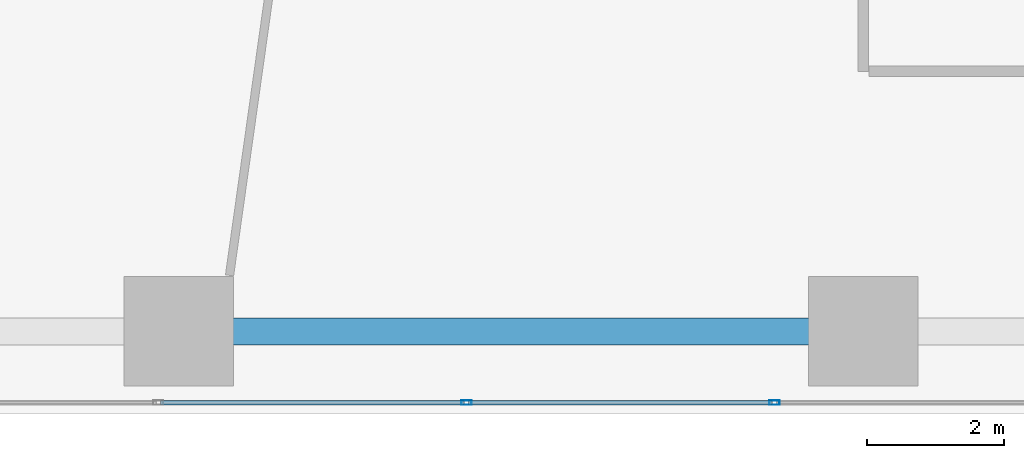
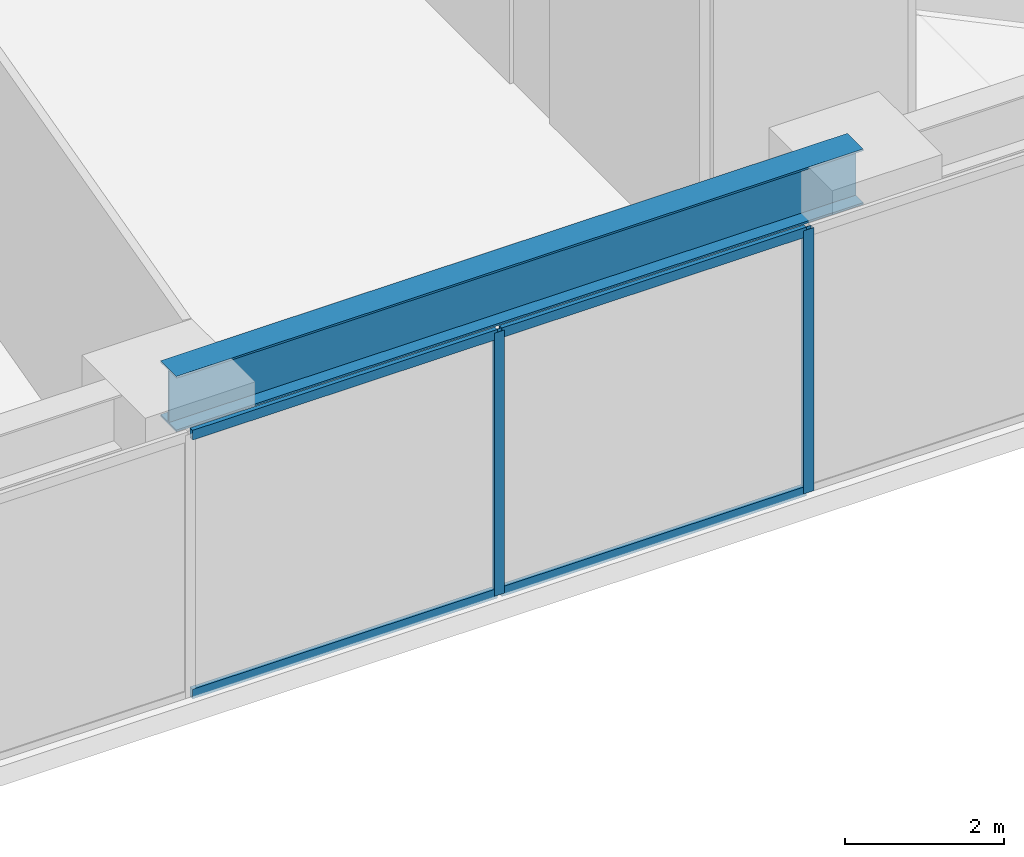
# One storey, part 3 of 24: 6 members, 1 beam, 1 element without a shape of its own.
"""IFC4 building model written with IfcOpenShell, lengths in metres."""

from ifc_helpers import new_model, si_unit, direction, frame, origin, origin_2d, place, context, subcontext, project, spatial, hollow_rectangle, i_section, extrude, source, transform, mapped, material, layer, layer_set, material_profile, profile_set, type_object, type_shapes, element, aggregate, save


model = new_model("IFC4")

# Units and contexts
model_context = context("Model", 3, precision=1e-05, world=origin(), true_north=direction((0.0, 1.0)))
body_context = subcontext(model_context, "Body", "Model", "MODEL_VIEW")
ifc_project = project(units=[si_unit("LENGTHUNIT", "METRE"), si_unit("AREAUNIT", "SQUARE_METRE"), si_unit("VOLUMEUNIT", "CUBIC_METRE"), si_unit("PLANEANGLEUNIT", "RADIAN"), si_unit("MASSUNIT", "GRAM", prefix="KILO")], contexts=[model_context])

# Site, building, storey
site_placement = place(None, origin())
site = spatial("IfcSite", under=ifc_project, at=site_placement, CompositionType="ELEMENT")
building_placement = place(site_placement, origin())
building = spatial("IfcBuilding", under=site, at=building_placement, Name="Talar Marvaseh", CompositionType="ELEMENT")
storey_placement = place(building_placement, frame((0.0, 0.0, 9.800048828125)))
storey = spatial("IfcBuildingStorey", under=building, at=storey_placement, Name="L02", CompositionType="ELEMENT", Elevation=9.800048828125)

# Beam
ifc_material_1 = material(Name="Steel S355", Category="steel")
ifc_material_profile_1 = material_profile(ifc_material_1, i_section(OverallWidth=0.39990234375, OverallDepth=0.85498046875, WebThickness=0.018310546875, FlangeThickness=0.029296875, at=origin_2d()), Name="W840x299")
ifc_profile_set_1 = profile_set([ifc_material_profile_1], Name="Steel S355")
beam_type = type_object("IfcBeamType", Name="Concourse Primary Girder W840x299", PredefinedType="BEAM", material=ifc_profile_set_1)
beam_placement = place(storey_placement, frame((22.800048828125, 9.199951171875, 3.87255859375), z_axis=(1.0, 0.0, 0.0), x_axis=(0.0, 1.0, 0.0)))
element("IfcBeam", 1, at=beam_placement, inside=storey, type_object=beam_type, Name="L02 Concourse Primary Girder W840x299", PredefinedType="BEAM", context=body_context, shape_type="SweptSolid", body=[
    extrude(i_section(OverallWidth=0.39990234375, OverallDepth=0.85498046875, WebThickness=0.018310546875, FlangeThickness=0.029296875, at=origin_2d()), origin(), (0.0, 0.0, 1.0), 10.0),
])

# Curtain wall, members
ifc_material_2 = material(Name="Architectural Aluminium", Category="aluminium")
ifc_layer = layer(ifc_material_2, 0.25)
ifc_layer_set = layer_set([ifc_layer], Name="Architectural Aluminium")
curtain_wall_type = type_object("IfcCurtainWallType", Name="Station Podium Monumental Iwan Curtain Wall", PredefinedType="NOTDEFINED", material=ifc_layer_set)
curtain_wall_placement = place(storey_placement, origin())
curtain_wall = element("IfcCurtainWall", 2, at=curtain_wall_placement, inside=storey, type_object=curtain_wall_type, Name="L02 Station Podium Monumental Iwan Curtain Wall", PredefinedType="NOTDEFINED")
ifc_material_profile_2 = material_profile(ifc_material_2, hollow_rectangle(XDim=0.06494140625, YDim=0.14990234375, WallThickness=0.00390625, at=origin_2d()), Name="RHS150x65x4")
ifc_profile_set_2 = profile_set([ifc_material_profile_2], Name="Architectural Aluminium")
member_type_1 = type_object("IfcMemberType", Name="Unitised Curtain Wall Slim Transom RHS150x65x4", PredefinedType="USERDEFINED", material=ifc_profile_set_2)
shared_shape_1 = source(origin(), body_context, "Body", "SweptSolid", [
    extrude(hollow_rectangle(XDim=0.06494140625, YDim=0.14990234375, WallThickness=0.00390625, at=origin_2d()), origin(), (0.0, 0.0, 1.0), 4.43505859375),
])
type_shapes(member_type_1, [shared_shape_1])
member_1_placement = place(storey_placement, frame((31.467529296875, 8.159912109375, 0.032470703125), z_axis=(-1.0, 0.0, 0.0), x_axis=(0.0, -1.0, 0.0)))
member_1 = element("IfcMember", 3, at=member_1_placement, type_object=member_type_1, Name="CW-POD transom 2.1", ObjectType="TRANSOM", PredefinedType="USERDEFINED", context=body_context, shape_type="MappedRepresentation", body=[
    mapped(shared_shape_1, transform((0.0, 0.0, 0.0), x_axis=(1.0, 0.0, 0.0), y_axis=(0.0, 1.0, 0.0), z_axis=(0.0, 0.0, 1.0), scale=1.0)),
])
member_2_placement = place(storey_placement, frame((31.467529296875, 8.159912109375, 4.017333984375), z_axis=(-1.0, 0.0, 0.0), x_axis=(0.0, -1.0, 0.0)))
member_2 = element("IfcMember", 4, at=member_2_placement, type_object=member_type_1, Name="CW-POD transom 2.2", ObjectType="TRANSOM", PredefinedType="USERDEFINED", context=body_context, shape_type="MappedRepresentation", body=[
    mapped(shared_shape_1, transform((0.0, 0.0, 0.0), x_axis=(1.0, 0.0, 0.0), y_axis=(0.0, 1.0, 0.0), z_axis=(0.0, 0.0, 1.0), scale=1.0)),
])
member_3_placement = place(storey_placement, frame((26.967529296875, 8.159912109375, 0.032470703125), z_axis=(-1.0, 0.0, 0.0), x_axis=(0.0, -1.0, 0.0)))
member_3 = element("IfcMember", 5, at=member_3_placement, type_object=member_type_1, Name="CW-POD transom 3.1", ObjectType="TRANSOM", PredefinedType="USERDEFINED", context=body_context, shape_type="MappedRepresentation", body=[
    mapped(shared_shape_1, transform((0.0, 0.0, 0.0), x_axis=(1.0, 0.0, 0.0), y_axis=(0.0, 1.0, 0.0), z_axis=(0.0, 0.0, 1.0), scale=1.0)),
])
member_4_placement = place(storey_placement, frame((26.967529296875, 8.159912109375, 4.017333984375), z_axis=(-1.0, 0.0, 0.0), x_axis=(0.0, -1.0, 0.0)))
member_4 = element("IfcMember", 6, at=member_4_placement, type_object=member_type_1, Name="CW-POD transom 3.2", ObjectType="TRANSOM", PredefinedType="USERDEFINED", context=body_context, shape_type="MappedRepresentation", body=[
    mapped(shared_shape_1, transform((0.0, 0.0, 0.0), x_axis=(1.0, 0.0, 0.0), y_axis=(0.0, 1.0, 0.0), z_axis=(0.0, 0.0, 1.0), scale=1.0)),
])
ifc_material_profile_3 = material_profile(ifc_material_2, hollow_rectangle(XDim=0.06494140625, YDim=0.14990234375, WallThickness=0.00390625, at=origin_2d()), Name="RHS150x65x4")
ifc_profile_set_3 = profile_set([ifc_material_profile_3], Name="Architectural Aluminium")
member_type_2 = type_object("IfcMemberType", Name="Unitised Curtain Wall Slim Mullion RHS150x65x4", PredefinedType="MULLION", material=ifc_profile_set_3)
shared_shape_2 = source(origin(), body_context, "Body", "SweptSolid", [
    extrude(hollow_rectangle(XDim=0.06494140625, YDim=0.14990234375, WallThickness=0.00390625, at=origin_2d()), origin(), (0.0, 0.0, 1.0), 4.050048828125),
])
type_shapes(member_type_2, [shared_shape_2])
member_5_placement = place(storey_placement, frame((31.5, 8.159912109375, 0.0), z_axis=(0.0, 0.0, 1.0), x_axis=(0.0, -1.0, 0.0)))
member_5 = element("IfcMember", 7, at=member_5_placement, type_object=member_type_2, Name="CW-POD mullion 2", PredefinedType="MULLION", context=body_context, shape_type="MappedRepresentation", body=[
    mapped(shared_shape_2, transform((0.0, 0.0, 0.0), x_axis=(1.0, 0.0, 0.0), y_axis=(0.0, 1.0, 0.0), z_axis=(0.0, 0.0, 1.0), scale=1.0)),
])
member_6_placement = place(storey_placement, frame((27.0, 8.159912109375, 0.0), z_axis=(0.0, 0.0, 1.0), x_axis=(0.0, -1.0, 0.0)))
member_6 = element("IfcMember", 8, at=member_6_placement, type_object=member_type_2, Name="CW-POD mullion 3", PredefinedType="MULLION", context=body_context, shape_type="MappedRepresentation", body=[
    mapped(shared_shape_2, transform((0.0, 0.0, 0.0), x_axis=(1.0, 0.0, 0.0), y_axis=(0.0, 1.0, 0.0), z_axis=(0.0, 0.0, 1.0), scale=1.0)),
])
aggregate(curtain_wall, [member_5, member_6, member_1, member_2, member_3, member_4])

save(model, "model.ifc")
